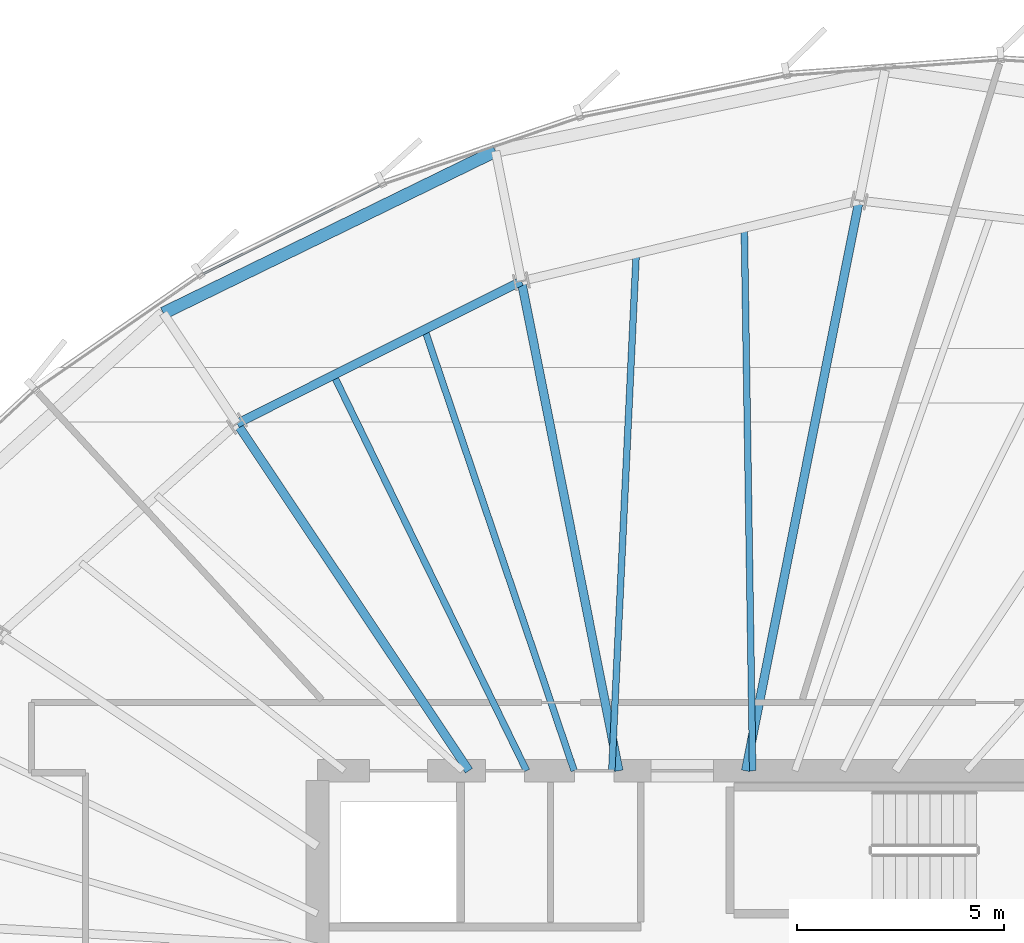
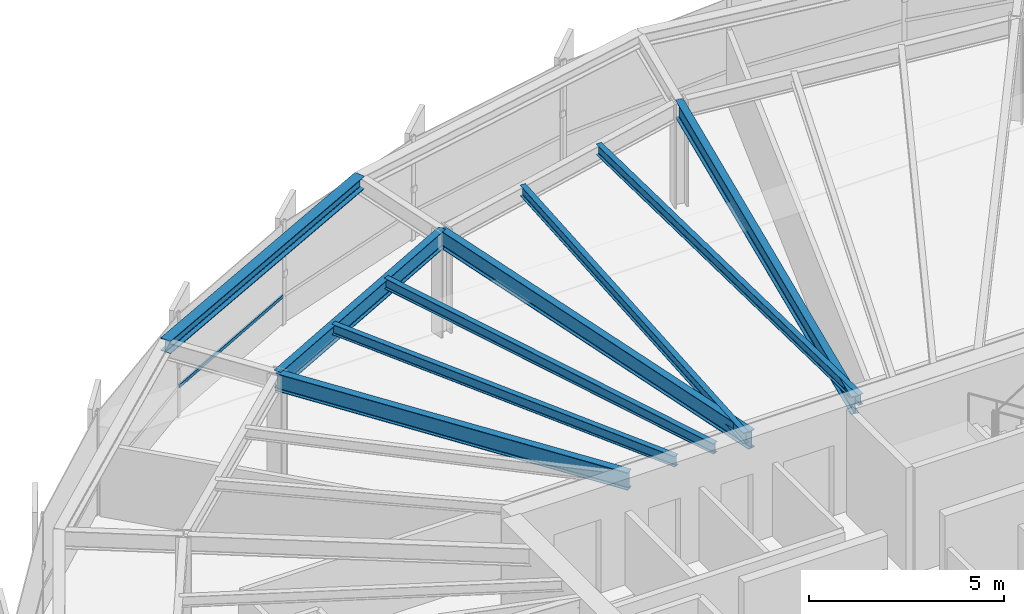
# One storey, part 20 of 32: 9 beams, 1 member, 1 element without a shape of its own.
"""IFC4 building model written with IfcOpenShell, lengths in metres."""

from ifc_helpers import new_model, si_unit, direction, frame, origin, origin_2d, place, context, subcontext, project, spatial, hollow_rectangle, i_section, extrude, source, transform, mapped, material, layer, layer_set, material_profile, profile_set, type_object, element, aggregate, save


model = new_model("IFC4")

# Units and contexts
model_context = context("Model", 3, precision=1e-05, world=origin(), true_north=direction((0.0, 1.0)))
body_context = subcontext(model_context, "Body", "Model", "MODEL_VIEW")
ifc_project = project(units=[si_unit("LENGTHUNIT", "METRE"), si_unit("AREAUNIT", "SQUARE_METRE"), si_unit("VOLUMEUNIT", "CUBIC_METRE"), si_unit("PLANEANGLEUNIT", "RADIAN"), si_unit("MASSUNIT", "GRAM", prefix="KILO"), si_unit("THERMODYNAMICTEMPERATUREUNIT", "KELVIN")], contexts=[model_context])

# Site, building, storey
site_placement = place(None, origin())
site = spatial("IfcSite", under=ifc_project, at=site_placement, CompositionType="ELEMENT")
building_placement = place(site_placement, origin())
building = spatial("IfcBuilding", under=site, at=building_placement, Name="Kethvar Cultural Tower", CompositionType="ELEMENT")
storey_placement = place(building_placement, frame((0.0, 0.0, 157.199951171875)))
storey = spatial("IfcBuildingStorey", under=building, at=storey_placement, Name="L40", CompositionType="ELEMENT", Elevation=157.199951171875)

# Beams
ifc_material_1 = material(Name="Steel S355J2", Category="steel")
ifc_material_profile_1 = material_profile(ifc_material_1, i_section(OverallWidth=0.2099609375, OverallDepth=0.550048828125, WebThickness=0.010986328125, FlangeThickness=0.01708984375, FilletRadius=0.02392578125, at=origin_2d()), Name="Steel S355J2 — IPE550")
ifc_profile_set_1 = profile_set([ifc_material_profile_1], Name="Steel S355J2 — IPE550")
beam_type_1 = type_object("IfcBeamType", Name="BM-IPE550", PredefinedType="BEAM", material=ifc_profile_set_1)
shared_shape_1 = source(origin(), body_context, "Body", "SweptSolid", [
    extrude(i_section(OverallWidth=0.2099609375, OverallDepth=0.550048828125, WebThickness=0.010986328125, FlangeThickness=0.01708984375, FilletRadius=0.02392578125, at=origin_2d()), origin(), (0.0, 0.0, 1.0), 14.02880859375),
])
beam_1_placement = place(storey_placement, frame((48.33154296875, 35.5, 3.02294921875), z_axis=(0.195101986683, 0.980782960085, 0.0), x_axis=(-0.980782960085, 0.195101986683, 0.0)))
element("IfcBeam", 1, at=beam_1_placement, inside=storey, type_object=beam_type_1, Name="L40 Primary Radial Beam RB-04", PredefinedType="BEAM", context=body_context, shape_type="MappedRepresentation", body=[
    mapped(shared_shape_1, transform((0.0, 0.0, 0.0), scale=1.0)),
])
shared_shape_2 = source(origin(), body_context, "Body", "SweptSolid", [
    extrude(i_section(OverallWidth=0.2099609375, OverallDepth=0.550048828125, WebThickness=0.010986328125, FlangeThickness=0.01708984375, FilletRadius=0.02392578125, at=origin_2d()), origin(), (0.0, 0.0, 1.0), 12.042724609375),
])
beam_2_placement = place(storey_placement, frame((45.268310546875, 35.5, 3.02294921875), z_axis=(-0.195086784047, 0.980785984142, 0.0), x_axis=(-0.980785984142, -0.195086784047, 0.0)))
element("IfcBeam", 2, at=beam_2_placement, inside=storey, type_object=beam_type_1, Name="L40 Primary Radial Beam RB-05", PredefinedType="BEAM", context=body_context, shape_type="MappedRepresentation", body=[
    mapped(shared_shape_2, transform((0.0, 0.0, 0.0), scale=1.0)),
])
shared_shape_3 = source(origin(), body_context, "Body", "SweptSolid", [
    extrude(i_section(OverallWidth=0.2099609375, OverallDepth=0.550048828125, WebThickness=0.010986328125, FlangeThickness=0.01708984375, FilletRadius=0.02392578125, at=origin_2d()), origin(), (0.0, 0.0, 1.0), 10.0751953125),
])
beam_3_placement = place(storey_placement, frame((41.655029296875, 35.5, 3.02294921875), z_axis=(-0.555566654614, 0.831472003305, 0.0), x_axis=(-0.831472003305, -0.555566654614, 0.0)))
element("IfcBeam", 3, at=beam_3_placement, inside=storey, type_object=beam_type_1, Name="L40 Primary Radial Beam RB-06", PredefinedType="BEAM", context=body_context, shape_type="MappedRepresentation", body=[
    mapped(shared_shape_3, transform((0.0, 0.0, 0.0), scale=1.0)),
])
ifc_material_profile_2 = material_profile(ifc_material_1, i_section(OverallWidth=0.159912109375, OverallDepth=0.330078125, WebThickness=0.007568359375, FlangeThickness=0.011474609375, FilletRadius=0.01806640625, at=origin_2d()), Name="Steel S355J2 — IPE330")
ifc_profile_set_2 = profile_set([ifc_material_profile_2], Name="Steel S355J2 — IPE330")
beam_type_2 = type_object("IfcBeamType", Name="BM-J330", PredefinedType="JOIST", material=ifc_profile_set_2)
shared_shape_4 = source(origin(), body_context, "Body", "SweptSolid", [
    extrude(i_section(OverallWidth=0.159912109375, OverallDepth=0.330078125, WebThickness=0.007568359375, FlangeThickness=0.011474609375, FilletRadius=0.01806640625, at=origin_2d()), origin(), (0.0, 0.0, 1.0), 13.098388671875),
])
beam_4_placement = place(storey_placement, frame((48.5, 35.5, 3.133056640625), z_axis=(-0.015451599057, 0.999880616917, 0.0), x_axis=(-0.999880616917, -0.015451599057, 0.0)))
element("IfcBeam", 4, at=beam_4_placement, inside=storey, type_object=beam_type_2, Name="L40 Composite Floor Joist J-04A", PredefinedType="JOIST", context=body_context, shape_type="MappedRepresentation", body=[
    mapped(shared_shape_4, transform((0.0, 0.0, 0.0), scale=1.0)),
])
shared_shape_5 = source(origin(), body_context, "Body", "SweptSolid", [
    extrude(i_section(OverallWidth=0.159912109375, OverallDepth=0.330078125, WebThickness=0.007568359375, FlangeThickness=0.011474609375, FilletRadius=0.01806640625, at=origin_2d()), origin(), (0.0, 0.0, 1.0), 12.487548828125),
])
beam_5_placement = place(storey_placement, frame((45.10009765625, 35.5, 3.133056640625), z_axis=(0.047214958818, 0.998884751943, 0.0), x_axis=(-0.998884751943, 0.047214958818, 0.0)))
element("IfcBeam", 5, at=beam_5_placement, inside=storey, type_object=beam_type_2, Name="L40 Composite Floor Joist J-04B", PredefinedType="JOIST", context=body_context, shape_type="MappedRepresentation", body=[
    mapped(shared_shape_5, transform((0.0, 0.0, 0.0), scale=1.0)),
])
shared_shape_6 = source(origin(), body_context, "Body", "SweptSolid", [
    extrude(i_section(OverallWidth=0.2099609375, OverallDepth=0.550048828125, WebThickness=0.010986328125, FlangeThickness=0.01708984375, FilletRadius=0.02392578125, at=origin_2d()), origin(), (0.0, 0.0, 1.0), 7.672607421875),
])
beam_6_placement = place(storey_placement, frame((42.9189453125, 47.311279296875, 3.02294921875), z_axis=(-0.894248932057, -0.447569935892, 0.0), x_axis=(0.447569935892, -0.894248932057, 0.0)))
element("IfcBeam", 6, at=beam_6_placement, inside=storey, type_object=beam_type_1, Name="L40 Column Ring Tie Beam CR-05", PredefinedType="BEAM", context=body_context, shape_type="MappedRepresentation", body=[
    mapped(shared_shape_6, transform((0.0, 0.0, 0.0), scale=1.0)),
])
shared_shape_7 = source(origin(), body_context, "Body", "SweptSolid", [
    extrude(i_section(OverallWidth=0.159912109375, OverallDepth=0.330078125, WebThickness=0.007568359375, FlangeThickness=0.011474609375, FilletRadius=0.01806640625, at=origin_2d()), origin(), (0.0, 0.0, 1.0), 11.23779296875),
])
beam_7_placement = place(storey_placement, frame((44.191650390625, 35.5, 3.133056640625), z_axis=(-0.32083186626, 0.94713616423, 0.0), x_axis=(-0.94713616423, -0.32083186626, 0.0)))
element("IfcBeam", 7, at=beam_7_placement, inside=storey, type_object=beam_type_2, Name="L40 Composite Floor Joist J-05A", PredefinedType="JOIST", context=body_context, shape_type="MappedRepresentation", body=[
    mapped(shared_shape_7, transform((0.0, 0.0, 0.0), scale=1.0)),
])
shared_shape_8 = source(origin(), body_context, "Body", "SweptSolid", [
    extrude(i_section(OverallWidth=0.159912109375, OverallDepth=0.330078125, WebThickness=0.007568359375, FlangeThickness=0.011474609375, FilletRadius=0.01806640625, at=origin_2d()), origin(), (0.0, 0.0, 1.0), 10.619384765625),
])
beam_8_placement = place(storey_placement, frame((43.044921875, 35.5, 3.133056640625), z_axis=(-0.438308125028, 0.898824781331, 0.0), x_axis=(-0.898824781331, -0.438308125028, 0.0)))
element("IfcBeam", 8, at=beam_8_placement, inside=storey, type_object=beam_type_2, Name="L40 Composite Floor Joist J-05B", PredefinedType="JOIST", context=body_context, shape_type="MappedRepresentation", body=[
    mapped(shared_shape_8, transform((0.0, 0.0, 0.0), scale=1.0)),
])
ifc_material_profile_3 = material_profile(ifc_material_1, i_section(OverallWidth=0.300048828125, OverallDepth=0.39990234375, WebThickness=0.013427734375, FlangeThickness=0.02392578125, FilletRadius=0.027099609375, at=origin_2d()), Name="Steel S355J2 — HEB400")
ifc_profile_set_3 = profile_set([ifc_material_profile_3], Name="Steel S355J2 — HEB400")
beam_type_3 = type_object("IfcBeamType", Name="BM-SP400", PredefinedType="SPANDREL", material=ifc_profile_set_3)
shared_shape_9 = source(origin(), body_context, "Body", "SweptSolid", [
    extrude(i_section(OverallWidth=0.300048828125, OverallDepth=0.39990234375, WebThickness=0.013427734375, FlangeThickness=0.02392578125, FilletRadius=0.027099609375, at=origin_2d()), origin(), (0.0, 0.0, 1.0), 8.91845703125),
])
beam_9_placement = place(storey_placement, frame((42.294677734375, 50.44970703125, 3.09814453125), z_axis=(-0.898683713341, -0.438597290662, 0.0), x_axis=(0.438597290662, -0.898683713341, 0.0)))
element("IfcBeam", 9, at=beam_9_placement, inside=storey, type_object=beam_type_3, Name="L40 Perimeter Spandrel Beam SP-05", PredefinedType="SPANDREL", context=body_context, shape_type="MappedRepresentation", body=[
    mapped(shared_shape_9, transform((0.0, 0.0, 0.0), scale=1.0)),
])

# Curtain wall, member
ifc_material_2 = material(Name="Aluminium 6063-T6", Category="aluminium")
ifc_layer = layer(ifc_material_2, 0.179931640625, Name="Aluminium 6063-T6", Category="aluminium")
ifc_layer_set = layer_set([ifc_layer], Name="Aluminium 6063-T6 (180 mm)")
curtain_wall_type = type_object("IfcCurtainWallType", Name="CW-SYS-04-Z34", PredefinedType="NOTDEFINED", material=ifc_layer_set)
curtain_wall_placement = place(storey_placement, origin())
curtain_wall = element("IfcCurtainWall", 10, at=curtain_wall_placement, inside=storey, type_object=curtain_wall_type, Name="L40 Curtain Wall Run 02", PredefinedType="NOTDEFINED")
ifc_material_profile_4 = material_profile(ifc_material_2, hollow_rectangle(XDim=0.050048828125, YDim=0.10009765625, WallThickness=0.00390625, at=origin_2d()), Name="Aluminium 6063-T6 — RHS100x50x4")
ifc_profile_set_4 = profile_set([ifc_material_profile_4], Name="Aluminium 6063-T6 — RHS100x50x4")
member_type = type_object("IfcMemberType", Name="CW-SYS-04-Z34-TRN", PredefinedType="USERDEFINED", material=ifc_profile_set_4)
shared_shape_10 = source(origin(), body_context, "Body", "SweptSolid", [
    extrude(hollow_rectangle(XDim=0.050048828125, YDim=0.10009765625, WallThickness=0.00390625, at=origin_2d()), origin(), (0.0, 0.0, 1.0), 4.836181640625),
])
member_placement = place(storey_placement, frame((39.534912109375, 49.630859375, 0.949951171875), z_axis=(-0.894629024898, -0.446809699773, 0.0), x_axis=(0.446809699773, -0.894629024898, 0.0)))
member = element("IfcMember", 11, at=member_placement, type_object=member_type, Name="CW-L40-R02 Transom 3", ObjectType="TRANSOM", PredefinedType="USERDEFINED", context=body_context, shape_type="MappedRepresentation", body=[
    mapped(shared_shape_10, transform((0.0, 0.0, 0.0), scale=1.0)),
])
aggregate(curtain_wall, [member])

save(model, "model.ifc")
